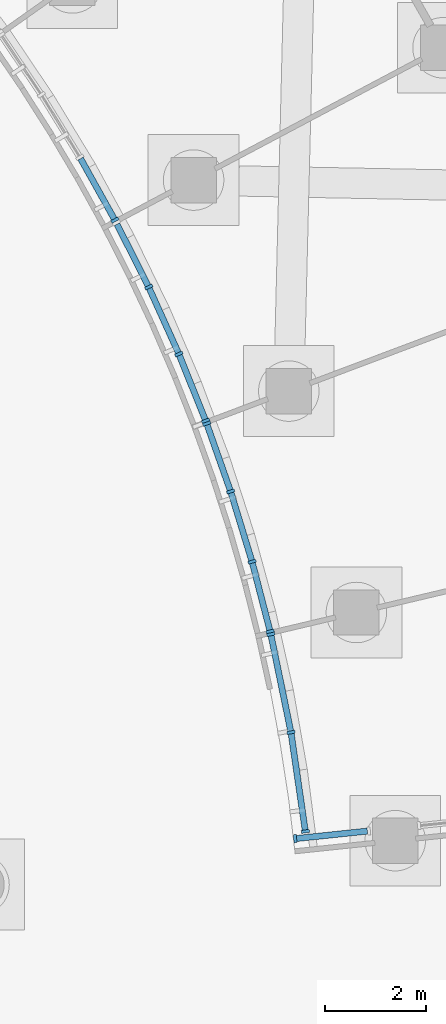
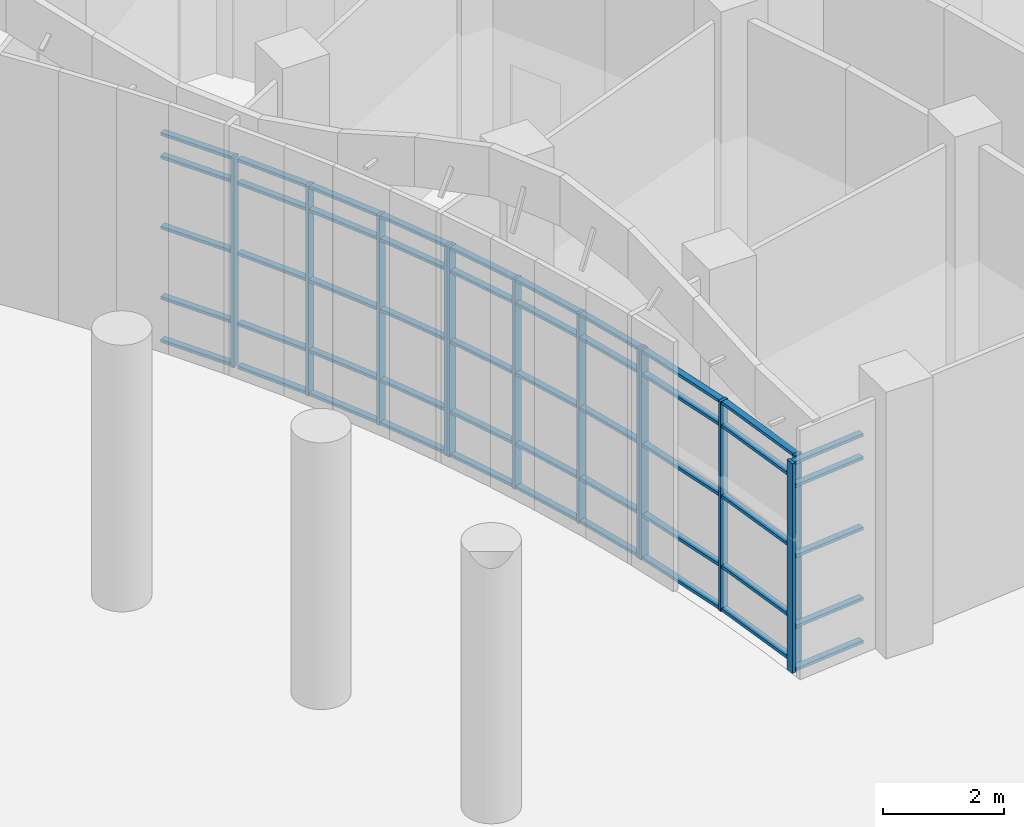
# One storey, part 30 of 146: 62 members, 5 elements without a shape of their own.
"""IFC4 building model written with IfcOpenShell, lengths in metres."""

import ifcopenshell
import ifcopenshell.guid

model = None  # the IFC model being written
_history = None  # IfcOwnerHistory: only IFC2X3 demands one
_inside = {}  # id of a spatial element -> (the spatial element, [elements in it])
_under = {}  # id of a project, library or spatial element -> (it, [spatial elements below it])
_declared = {}  # id of a project -> (the project, [libraries it declares])
_typed = {}  # id of a type object -> (the type object, [elements of that type])
_made_of = {}  # id of a material, layer set ... -> (it, [elements and type objects made of it])


def new_model(schema):
    """Start an empty IFC model of exactly this schema.

    Asked for "IFC4X3", IfcOpenShell would pick the latest addendum, in which some entities
    have other attributes; the version numbers below select the first issue.
    IFC2X3 requires an IfcOwnerHistory on every rooted entity: one is made here for all.
    """
    global model, _history
    if schema == "IFC4X3":
        model = ifcopenshell.file(schema_version=(4, 3, 0, 0))
    else:
        model = ifcopenshell.file(schema=schema)
    _inside.clear()
    _under.clear()
    _declared.clear()
    _typed.clear()
    _made_of.clear()
    _history = None
    if model.schema == "IFC2X3":
        org = make("IfcOrganization", Name="unknown")
        user = make(
            "IfcPersonAndOrganization",
            ThePerson=make("IfcPerson", FamilyName="unknown"),
            TheOrganization=org,
        )
        app = make(
            "IfcApplication",
            ApplicationDeveloper=org,
            Version="unknown",
            ApplicationFullName="unknown",
            ApplicationIdentifier="unknown",
        )
        _history = make(
            "IfcOwnerHistory",
            OwningUser=user,
            OwningApplication=app,
            ChangeAction="ADDED",
            CreationDate=0,
        )
    return model


def make(cls, **values):
    """One entity of the class cls with the attributes given. An attribute that is None is left unset."""
    return model.create_entity(
        cls, **{name: value for name, value in values.items() if value is not None}
    )


def rooted(cls, **values):
    """An entity with a GlobalId (a new one), such as an element, a storey or a relation."""
    return make(cls, GlobalId=ifcopenshell.guid.new(), OwnerHistory=_history, **values)


def si_unit(unit_type, name, prefix=None):
    """IfcSIUnit, for example si_unit("LENGTHUNIT", "METRE", prefix="MILLI")."""
    return make("IfcSIUnit", UnitType=unit_type, Prefix=prefix, Name=name)


def assignment(units):
    """IfcUnitAssignment: the units of a project."""
    return None if units is None else make("IfcUnitAssignment", Units=units)


def point(xyz):
    """IfcCartesianPoint."""
    return None if xyz is None else make("IfcCartesianPoint", Coordinates=xyz)


def direction(xyz):
    """IfcDirection."""
    return None if xyz is None else make("IfcDirection", DirectionRatios=xyz)


def frame(location, z_axis=None, x_axis=None):
    """IfcAxis2Placement3D, a coordinate frame: its origin and axes. An axis left out is left unset."""
    return make(
        "IfcAxis2Placement3D",
        Location=point(location),
        Axis=direction(z_axis),
        RefDirection=direction(x_axis),
    )


def frame_2d(location, x_axis=None):
    """IfcAxis2Placement2D, a coordinate frame in the plane: its origin and x axis."""
    return make(
        "IfcAxis2Placement2D", Location=point(location), RefDirection=direction(x_axis)
    )


def origin():
    """The frame at (0, 0, 0) with its axes left unset."""
    return frame((0.0, 0.0, 0.0))


def origin_2d():
    """The frame at (0, 0) in the plane with its x axis left unset."""
    return frame_2d((0.0, 0.0))


def place(relative_to, where):
    """IfcLocalPlacement: puts the frame where relative to a parent placement (None: the world)."""
    return make(
        "IfcLocalPlacement", PlacementRelTo=relative_to, RelativePlacement=where
    )


def context(
    kind, dimensions, precision=None, world=None, true_north=None, identifier=None
):
    """IfcGeometricRepresentationContext, for example the 3D "Model" context."""
    return make(
        "IfcGeometricRepresentationContext",
        ContextIdentifier=identifier,
        ContextType=kind,
        CoordinateSpaceDimension=dimensions,
        Precision=precision,
        WorldCoordinateSystem=world,
        TrueNorth=true_north,
    )


def subcontext(parent, identifier, kind, view, scale=None):
    """IfcGeometricRepresentationSubContext, for example "Body" below "Model"."""
    return make(
        "IfcGeometricRepresentationSubContext",
        ContextIdentifier=identifier,
        ContextType=kind,
        ParentContext=parent,
        TargetScale=scale,
        TargetView=view,
    )


def project(units=None, contexts=None):
    """IfcProject with its units and contexts."""
    return rooted(
        "IfcProject",
        Name="project",
        RepresentationContexts=contexts,
        UnitsInContext=assignment(units),
    )


def spatial(cls, under=None, at=None, **own):
    """A site, building, storey or space (cls), placed at a placement, below another one or the project."""
    s = rooted(cls, ObjectPlacement=at, **own)
    if under is not None:
        _under.setdefault(under.id(), (under, []))[1].append(s)
    return s


def profile(cls, at=None, kind="AREA", **sizes):
    """A parametric profile (cls). Its sizes go by their IFC names, for example OverallWidth=200.0."""
    return make(cls, ProfileType=kind, Position=at, **sizes)


def rectangle(**sizes):
    """IfcRectangleProfileDef."""
    return profile("IfcRectangleProfileDef", **sizes)


def extrude(swept, where, along, depth):
    """IfcExtrudedAreaSolid: the profile swept, set in the frame where, extruded along a direction by depth."""
    return make(
        "IfcExtrudedAreaSolid",
        SweptArea=swept,
        Position=where,
        ExtrudedDirection=direction(along),
        Depth=depth,
    )


def shape(context_of_items, identifier, shape_type, items):
    """IfcShapeRepresentation: the items that make up one representation, for example the "Body"."""
    return make(
        "IfcShapeRepresentation",
        ContextOfItems=context_of_items,
        RepresentationIdentifier=identifier,
        RepresentationType=shape_type,
        Items=items,
    )


def material(Name=None, Category=None):
    """IfcMaterial."""
    return make("IfcMaterial", Name=Name, Category=Category)


def material_profile(
    of_material, cross_section, Name=None, Category=None, Priority=None
):
    """IfcMaterialProfile: a cross section and its material."""
    return make(
        "IfcMaterialProfile",
        Name=Name,
        Material=of_material,
        Profile=cross_section,
        Priority=Priority,
        Category=Category,
    )


def profile_set(profiles, Name=None, composite=None):
    """IfcMaterialProfileSet."""
    return make(
        "IfcMaterialProfileSet",
        Name=Name,
        MaterialProfiles=profiles,
        CompositeProfile=composite,
    )


def made_of(thing, what):
    """Note that an element or type object is made of a material, layer set ...; save() writes the relation."""
    if what is not None:
        _made_of.setdefault(what.id(), (what, []))[1].append(thing)
    return thing


def type_object(cls, material=None, **own):
    """A type object (cls), such as IfcWallType, which elements share."""
    return made_of(rooted(cls, **own), material)


def element(
    cls,
    number,
    at=None,
    inside=None,
    cuts=None,
    type_object=None,
    material=None,
    context=None,
    identifier="Body",
    shape_type=None,
    held_by="IfcProductDefinitionShape",
    body=None,
    shapes=None,
    **own,
):
    """One element of the class cls, such as IfcWall. Its Tag is "e" and its number.

    at: its placement. inside: the storey or other place that contains it. cuts: it is an
    opening in that element (IfcRelVoidsElement). A single representation is given by context,
    identifier, shape_type and body (its items); several are given by shapes. held_by: the class
    of the entity that holds the representations. save() writes the other relations.
    """
    e = rooted(cls, Tag="e%d" % number, ObjectPlacement=at, **own)
    if body is not None:
        shapes = [shape(context, identifier, shape_type, body)]
    if shapes is not None:
        e.Representation = make(held_by, Representations=shapes)
    if inside is not None:
        _inside.setdefault(inside.id(), (inside, []))[1].append(e)
    if cuts is not None:
        rooted(
            "IfcRelVoidsElement", RelatingBuildingElement=cuts, RelatedOpeningElement=e
        )
    if type_object is not None:
        _typed.setdefault(type_object.id(), (type_object, []))[1].append(e)
    return made_of(e, material)


def aggregate(whole, parts):
    """IfcRelAggregates: a whole, such as a stair, and the parts it consists of."""
    return rooted("IfcRelAggregates", RelatingObject=whole, RelatedObjects=parts)


def save(model, path):
    """Write the relations noted so far, then the file.

    IfcRelAggregates (storeys below a building ...), IfcRelContainedInSpatialStructure (elements
    in a storey), IfcRelDefinesByType, IfcRelAssociatesMaterial and IfcRelDeclares: one each for
    every whole, place, type object, material and project.
    """
    for whole, parts in _under.values():
        aggregate(whole, parts)
    for where, things in _inside.values():
        rooted(
            "IfcRelContainedInSpatialStructure",
            RelatedElements=things,
            RelatingStructure=where,
        )
    for kind, things in _typed.values():
        rooted("IfcRelDefinesByType", RelatedObjects=things, RelatingType=kind)
    for what, things in _made_of.values():
        rooted("IfcRelAssociatesMaterial", RelatedObjects=things, RelatingMaterial=what)
    for by, libraries in _declared.values():
        rooted("IfcRelDeclares", RelatingContext=by, RelatedDefinitions=libraries)
    model.write(path)


model = new_model("IFC4")

# Units and contexts
model_context = context("Model", 3, precision=1e-05, world=origin(), true_north=direction((0.0, 1.0)))
body_context = subcontext(model_context, "Body", "Model", "MODEL_VIEW")
ifc_project = project(units=[si_unit("LENGTHUNIT", "METRE"), si_unit("AREAUNIT", "SQUARE_METRE"), si_unit("VOLUMEUNIT", "CUBIC_METRE"), si_unit("PLANEANGLEUNIT", "RADIAN"), si_unit("MASSUNIT", "GRAM", prefix="KILO")], contexts=[model_context])

# Site, building, storey
site_placement = place(None, origin())
site = spatial("IfcSite", under=ifc_project, at=site_placement, CompositionType="ELEMENT")
building_placement = place(site_placement, origin())
building = spatial("IfcBuilding", under=site, at=building_placement, Name="Bougainvillea Quay General Hospital", CompositionType="ELEMENT")
storey_placement = place(building_placement, origin())
storey = spatial("IfcBuildingStorey", under=building, at=storey_placement, Name="L00", CompositionType="ELEMENT", Elevation=0.0)

# Curtain wall, member
ifc_material_1 = material(Name="Aluminium curtain wall system, powder-coated glazed", Category="aluminium")
curtain_wall_type_1 = type_object("IfcCurtainWallType", Name="Unitised curtain wall CW-2100", PredefinedType="NOTDEFINED", material=ifc_material_1)
curtain_wall_1_placement = place(storey_placement, origin())
curtain_wall_1 = element("IfcCurtainWall", 1, at=curtain_wall_1_placement, inside=storey, type_object=curtain_wall_type_1, Name="CW-E05 a21b4", PredefinedType="NOTDEFINED")
ifc_material_2 = material(Name="Aluminium mullion, powder-coated charcoal", Category="aluminium")
ifc_material_profile_1 = material_profile(ifc_material_2, rectangle(XDim=0.159912109375, YDim=0.06005859375, at=origin_2d()))
ifc_profile_set_1 = profile_set([ifc_material_profile_1], Name="Aluminium mullion, powder-coated charcoal")
member_type_1 = type_object("IfcMemberType", Name="Curtain wall mullion 160x60", PredefinedType="MULLION", material=ifc_profile_set_1)
member_1_placement = place(storey_placement, frame((139.443115234375, 38.073974609375, 0.0), z_axis=(0.0, 0.0, 1.0), x_axis=(0.873273793396, 0.487229803858, 0.0)))
member_1 = element("IfcMember", 2, at=member_1_placement, type_object=member_type_1, Name="CW-E05 mullion 4", PredefinedType="MULLION", context=body_context, shape_type="SweptSolid", body=[
    extrude(rectangle(XDim=0.159912109375, YDim=0.06005859375, at=origin_2d()), origin(), (0.0, 0.0, 1.0), 4.25),
])

# Curtain wall, members
curtain_wall_2_placement = place(storey_placement, origin())
curtain_wall_2 = element("IfcCurtainWall", 3, at=curtain_wall_2_placement, inside=storey, type_object=curtain_wall_type_1, Name="CW-E06 a21b5", PredefinedType="NOTDEFINED")
member_2_placement = place(storey_placement, frame((140.11279296875, 36.746337890625, 0.0), z_axis=(0.0, 0.0, 1.0), x_axis=(0.902565246474, 0.430553104574, 0.0)))
member_2 = element("IfcMember", 4, at=member_2_placement, type_object=member_type_1, Name="CW-E06 mullion 2", PredefinedType="MULLION", context=body_context, shape_type="SweptSolid", body=[
    extrude(rectangle(XDim=0.159912109375, YDim=0.06005859375, at=origin_2d()), origin(), (0.0, 0.0, 1.0), 4.25),
])
member_3_placement = place(storey_placement, frame((140.7119140625, 35.41845703125, 0.0), z_axis=(0.0, 0.0, 1.0), x_axis=(0.920058711526, 0.391780509145, 0.0)))
member_3 = element("IfcMember", 5, at=member_3_placement, type_object=member_type_1, Name="CW-E06 mullion 3", PredefinedType="MULLION", context=body_context, shape_type="SweptSolid", body=[
    extrude(rectangle(XDim=0.159912109375, YDim=0.06005859375, at=origin_2d()), origin(), (0.0, 0.0, 1.0), 4.25),
])
member_4_placement = place(storey_placement, frame((141.242919921875, 34.093994140625, 0.0), z_axis=(0.0, 0.0, 1.0), x_axis=(0.92818304467, 0.372123951912, 0.0)))
member_4 = element("IfcMember", 6, at=member_4_placement, type_object=member_type_1, Name="CW-E06 mullion 4", PredefinedType="MULLION", context=body_context, shape_type="SweptSolid", body=[
    extrude(rectangle(XDim=0.159912109375, YDim=0.06005859375, at=origin_2d()), origin(), (0.0, 0.0, 1.0), 4.25),
])

curtain_wall_3_placement = place(storey_placement, origin())
curtain_wall_3 = element("IfcCurtainWall", 7, at=curtain_wall_3_placement, inside=storey, type_object=curtain_wall_type_1, Name="CW-E07 a21b6", PredefinedType="NOTDEFINED")
member_5_placement = place(storey_placement, frame((141.26416015625, 34.037841796875, 0.0), z_axis=(0.0, 0.0, 1.0), x_axis=(0.943168537252, 0.332314775986, 0.0)))
member_5 = element("IfcMember", 8, at=member_5_placement, type_object=member_type_1, Name="CW-E07 mullion 1", PredefinedType="MULLION", context=body_context, shape_type="SweptSolid", body=[
    extrude(rectangle(XDim=0.159912109375, YDim=0.06005859375, at=origin_2d()), origin(), (0.0, 0.0, 1.0), 4.25),
])
member_6_placement = place(storey_placement, frame((141.73828125, 32.692138671875, 0.0), z_axis=(0.0, 0.0, 1.0), x_axis=(0.950022917464, 0.3121801664, 0.0)))
member_6 = element("IfcMember", 9, at=member_6_placement, type_object=member_type_1, Name="CW-E07 mullion 2", PredefinedType="MULLION", context=body_context, shape_type="SweptSolid", body=[
    extrude(rectangle(XDim=0.159912109375, YDim=0.06005859375, at=origin_2d()), origin(), (0.0, 0.0, 1.0), 4.25),
])
member_7_placement = place(storey_placement, frame((142.16357421875, 31.298828125, 0.0), z_axis=(0.0, 0.0, 1.0), x_axis=(0.962439443061, 0.271496442776, 0.0)))
member_7 = element("IfcMember", 10, at=member_7_placement, type_object=member_type_1, Name="CW-E07 mullion 3", PredefinedType="MULLION", context=body_context, shape_type="SweptSolid", body=[
    extrude(rectangle(XDim=0.159912109375, YDim=0.06005859375, at=origin_2d()), origin(), (0.0, 0.0, 1.0), 4.25),
])
member_8_placement = place(storey_placement, frame((142.521484375, 29.91748046875, 0.0), z_axis=(0.0, 0.0, 1.0), x_axis=(0.967995971386, 0.250965733479, 0.0)))
member_8 = element("IfcMember", 11, at=member_8_placement, type_object=member_type_1, Name="CW-E07 mullion 4", PredefinedType="MULLION", context=body_context, shape_type="SweptSolid", body=[
    extrude(rectangle(XDim=0.159912109375, YDim=0.06005859375, at=origin_2d()), origin(), (0.0, 0.0, 1.0), 4.25),
])

curtain_wall_4_placement = place(storey_placement, origin())
curtain_wall_4 = element("IfcCurtainWall", 12, at=curtain_wall_4_placement, inside=storey, type_object=curtain_wall_type_1, Name="CW-E08 a21b7", PredefinedType="NOTDEFINED")
member_9_placement = place(storey_placement, frame((142.53515625, 29.859130859375, 0.0), z_axis=(0.0, 0.0, 1.0), x_axis=(0.979468979674, 0.201594935096, 0.0)))
member_9 = element("IfcMember", 13, at=member_9_placement, type_object=member_type_1, Name="CW-E08 mullion 1", PredefinedType="MULLION", context=body_context, shape_type="SweptSolid", body=[
    extrude(rectangle(XDim=0.159912109375, YDim=0.06005859375, at=origin_2d()), origin(), (0.0, 0.0, 1.0), 4.25),
])
member_10_placement = place(storey_placement, frame((142.935302734375, 27.914794921875, 0.0), z_axis=(0.0, 0.0, 1.0), x_axis=(0.984975544783, 0.172693879972, 0.0)))
member_10 = element("IfcMember", 14, at=member_10_placement, type_object=member_type_1, Name="CW-E08 mullion 2", PredefinedType="MULLION", context=body_context, shape_type="SweptSolid", body=[
    extrude(rectangle(XDim=0.159912109375, YDim=0.06005859375, at=origin_2d()), origin(), (0.0, 0.0, 1.0), 4.25),
])
member_11_placement = place(storey_placement, frame((143.220458984375, 25.9501953125, 0.0), z_axis=(0.0, 0.0, 1.0), x_axis=(0.989629521715, 0.143643342173, 0.0)))
member_11 = element("IfcMember", 15, at=member_11_placement, type_object=member_type_1, Name="CW-E08 mullion 3", PredefinedType="MULLION", context=body_context, shape_type="SweptSolid", body=[
    extrude(rectangle(XDim=0.159912109375, YDim=0.06005859375, at=origin_2d()), origin(), (0.0, 0.0, 1.0), 4.25),
])

# Curtain wall, member
curtain_wall_type_2 = type_object("IfcCurtainWallType", Name="Unitised curtain wall CW-1531", PredefinedType="NOTDEFINED", material=ifc_material_1)
curtain_wall_5_placement = place(storey_placement, origin())
curtain_wall_5 = element("IfcCurtainWall", 16, at=curtain_wall_5_placement, inside=storey, type_object=curtain_wall_type_2, Name="CW-AE 00", PredefinedType="NOTDEFINED")
member_12_placement = place(storey_placement, frame((143.017822265625, 25.8056640625, 0.0), z_axis=(0.0, 0.0, 1.0), x_axis=(-0.104527173765, 0.9945220309, 0.0)))
member_12 = element("IfcMember", 17, at=member_12_placement, type_object=member_type_1, Name="CW-AE mullion 1", PredefinedType="MULLION", context=body_context, shape_type="SweptSolid", body=[
    extrude(rectangle(XDim=0.159912109375, YDim=0.06005859375, at=origin_2d()), origin(), (0.0, 0.0, 1.0), 4.25),
])

# Member
ifc_material_3 = material(Name="Aluminium transom, powder-coated charcoal", Category="aluminium")
ifc_material_profile_2 = material_profile(ifc_material_3, rectangle(XDim=0.1201171875, YDim=0.06005859375, at=origin_2d()))
ifc_profile_set_2 = profile_set([ifc_material_profile_2], Name="Aluminium transom, powder-coated charcoal")
member_type_2 = type_object("IfcMemberType", Name="Curtain wall transom 120x60", PredefinedType="USERDEFINED", material=ifc_profile_set_2)
member_13_placement = place(storey_placement, frame((138.762451171875, 39.293701171875, 0.030029296875), z_axis=(0.487264805137, -0.873254264046, 0.0), x_axis=(0.873254264046, 0.487264805137, 0.0)))
member_13 = element("IfcMember", 18, at=member_13_placement, type_object=member_type_2, Name="CW-E05 transom 3.1", ObjectType="TRANSOM", PredefinedType="USERDEFINED", context=body_context, shape_type="SweptSolid", body=[
    extrude(rectangle(XDim=0.1201171875, YDim=0.06005859375, at=origin_2d()), origin(), (0.0, 0.0, 1.0), 1.366943359375),
])

member_14_placement = place(storey_placement, frame((138.762451171875, 39.293701171875, 0.89990234375), z_axis=(0.487264805137, -0.873254264046, 0.0), x_axis=(0.873254264046, 0.487264805137, 0.0)))
member_14 = element("IfcMember", 19, at=member_14_placement, type_object=member_type_2, Name="CW-E05 transom 3.2", ObjectType="TRANSOM", PredefinedType="USERDEFINED", context=body_context, shape_type="SweptSolid", body=[
    extrude(rectangle(XDim=0.1201171875, YDim=0.06005859375, at=origin_2d()), origin(), (0.0, 0.0, 1.0), 1.366943359375),
])

member_15_placement = place(storey_placement, frame((138.762451171875, 39.293701171875, 2.324951171875), z_axis=(0.487264805137, -0.873254264046, 0.0), x_axis=(0.873254264046, 0.487264805137, 0.0)))
member_15 = element("IfcMember", 20, at=member_15_placement, type_object=member_type_2, Name="CW-E05 transom 3.3", ObjectType="TRANSOM", PredefinedType="USERDEFINED", context=body_context, shape_type="SweptSolid", body=[
    extrude(rectangle(XDim=0.1201171875, YDim=0.06005859375, at=origin_2d()), origin(), (0.0, 0.0, 1.0), 1.366943359375),
])

member_16_placement = place(storey_placement, frame((138.762451171875, 39.293701171875, 3.75), z_axis=(0.487264805137, -0.873254264046, 0.0), x_axis=(0.873254264046, 0.487264805137, 0.0)))
member_16 = element("IfcMember", 21, at=member_16_placement, type_object=member_type_2, Name="CW-E05 transom 3.4", ObjectType="TRANSOM", PredefinedType="USERDEFINED", context=body_context, shape_type="SweptSolid", body=[
    extrude(rectangle(XDim=0.1201171875, YDim=0.06005859375, at=origin_2d()), origin(), (0.0, 0.0, 1.0), 1.366943359375),
])

member_17_placement = place(storey_placement, frame((138.762451171875, 39.293701171875, 4.219970703125), z_axis=(0.487264805137, -0.873254264046, 0.0), x_axis=(0.873254264046, 0.487264805137, 0.0)))
member_17 = element("IfcMember", 22, at=member_17_placement, type_object=member_type_2, Name="CW-E05 transom 3.5", ObjectType="TRANSOM", PredefinedType="USERDEFINED", context=body_context, shape_type="SweptSolid", body=[
    extrude(rectangle(XDim=0.1201171875, YDim=0.06005859375, at=origin_2d()), origin(), (0.0, 0.0, 1.0), 1.366943359375),
])

aggregate(curtain_wall_1, [member_1, member_13, member_14, member_15, member_16, member_17])

member_18_placement = place(storey_placement, frame((139.484619140625, 37.994140625, 0.030029296875), z_axis=(0.449712233761, -0.893173503193, 0.0), x_axis=(0.893173503193, 0.449712233761, 0.0)))
member_18 = element("IfcMember", 23, at=member_18_placement, type_object=member_type_2, Name="CW-E06 transom 1.1", ObjectType="TRANSOM", PredefinedType="USERDEFINED", context=body_context, shape_type="SweptSolid", body=[
    extrude(rectangle(XDim=0.1201171875, YDim=0.06005859375, at=origin_2d()), origin(), (0.0, 0.0, 1.0), 1.366943359375),
])

member_19_placement = place(storey_placement, frame((139.484619140625, 37.994140625, 0.89990234375), z_axis=(0.449712233761, -0.893173503193, 0.0), x_axis=(0.893173503193, 0.449712233761, 0.0)))
member_19 = element("IfcMember", 24, at=member_19_placement, type_object=member_type_2, Name="CW-E06 transom 1.2", ObjectType="TRANSOM", PredefinedType="USERDEFINED", context=body_context, shape_type="SweptSolid", body=[
    extrude(rectangle(XDim=0.1201171875, YDim=0.06005859375, at=origin_2d()), origin(), (0.0, 0.0, 1.0), 1.366943359375),
])

member_20_placement = place(storey_placement, frame((139.484619140625, 37.994140625, 2.324951171875), z_axis=(0.449712233761, -0.893173503193, 0.0), x_axis=(0.893173503193, 0.449712233761, 0.0)))
member_20 = element("IfcMember", 25, at=member_20_placement, type_object=member_type_2, Name="CW-E06 transom 1.3", ObjectType="TRANSOM", PredefinedType="USERDEFINED", context=body_context, shape_type="SweptSolid", body=[
    extrude(rectangle(XDim=0.1201171875, YDim=0.06005859375, at=origin_2d()), origin(), (0.0, 0.0, 1.0), 1.366943359375),
])

member_21_placement = place(storey_placement, frame((139.484619140625, 37.994140625, 3.75), z_axis=(0.449712233761, -0.893173503193, 0.0), x_axis=(0.893173503193, 0.449712233761, 0.0)))
member_21 = element("IfcMember", 26, at=member_21_placement, type_object=member_type_2, Name="CW-E06 transom 1.4", ObjectType="TRANSOM", PredefinedType="USERDEFINED", context=body_context, shape_type="SweptSolid", body=[
    extrude(rectangle(XDim=0.1201171875, YDim=0.06005859375, at=origin_2d()), origin(), (0.0, 0.0, 1.0), 1.366943359375),
])

member_22_placement = place(storey_placement, frame((139.484619140625, 37.994140625, 4.219970703125), z_axis=(0.449712233761, -0.893173503193, 0.0), x_axis=(0.893173503193, 0.449712233761, 0.0)))
member_22 = element("IfcMember", 27, at=member_22_placement, type_object=member_type_2, Name="CW-E06 transom 1.5", ObjectType="TRANSOM", PredefinedType="USERDEFINED", context=body_context, shape_type="SweptSolid", body=[
    extrude(rectangle(XDim=0.1201171875, YDim=0.06005859375, at=origin_2d()), origin(), (0.0, 0.0, 1.0), 1.366943359375),
])

member_23_placement = place(storey_placement, frame((140.125244140625, 36.718994140625, 0.030029296875), z_axis=(0.411272928094, -0.911512248199, 0.0), x_axis=(0.911512248199, 0.411272928094, 0.0)))
member_23 = element("IfcMember", 28, at=member_23_placement, type_object=member_type_2, Name="CW-E06 transom 2.1", ObjectType="TRANSOM", PredefinedType="USERDEFINED", context=body_context, shape_type="SweptSolid", body=[
    extrude(rectangle(XDim=0.1201171875, YDim=0.06005859375, at=origin_2d()), origin(), (0.0, 0.0, 1.0), 1.396728515625),
])

member_24_placement = place(storey_placement, frame((140.125244140625, 36.718994140625, 0.89990234375), z_axis=(0.411272928094, -0.911512248199, 0.0), x_axis=(0.911512248199, 0.411272928094, 0.0)))
member_24 = element("IfcMember", 29, at=member_24_placement, type_object=member_type_2, Name="CW-E06 transom 2.2", ObjectType="TRANSOM", PredefinedType="USERDEFINED", context=body_context, shape_type="SweptSolid", body=[
    extrude(rectangle(XDim=0.1201171875, YDim=0.06005859375, at=origin_2d()), origin(), (0.0, 0.0, 1.0), 1.396728515625),
])

member_25_placement = place(storey_placement, frame((140.125244140625, 36.718994140625, 2.324951171875), z_axis=(0.411272928094, -0.911512248199, 0.0), x_axis=(0.911512248199, 0.411272928094, 0.0)))
member_25 = element("IfcMember", 30, at=member_25_placement, type_object=member_type_2, Name="CW-E06 transom 2.3", ObjectType="TRANSOM", PredefinedType="USERDEFINED", context=body_context, shape_type="SweptSolid", body=[
    extrude(rectangle(XDim=0.1201171875, YDim=0.06005859375, at=origin_2d()), origin(), (0.0, 0.0, 1.0), 1.396728515625),
])

member_26_placement = place(storey_placement, frame((140.125244140625, 36.718994140625, 3.75), z_axis=(0.411272928094, -0.911512248199, 0.0), x_axis=(0.911512248199, 0.411272928094, 0.0)))
member_26 = element("IfcMember", 31, at=member_26_placement, type_object=member_type_2, Name="CW-E06 transom 2.4", ObjectType="TRANSOM", PredefinedType="USERDEFINED", context=body_context, shape_type="SweptSolid", body=[
    extrude(rectangle(XDim=0.1201171875, YDim=0.06005859375, at=origin_2d()), origin(), (0.0, 0.0, 1.0), 1.396728515625),
])

member_27_placement = place(storey_placement, frame((140.125244140625, 36.718994140625, 4.219970703125), z_axis=(0.411272928094, -0.911512248199, 0.0), x_axis=(0.911512248199, 0.411272928094, 0.0)))
member_27 = element("IfcMember", 32, at=member_27_placement, type_object=member_type_2, Name="CW-E06 transom 2.5", ObjectType="TRANSOM", PredefinedType="USERDEFINED", context=body_context, shape_type="SweptSolid", body=[
    extrude(rectangle(XDim=0.1201171875, YDim=0.06005859375, at=origin_2d()), origin(), (0.0, 0.0, 1.0), 1.396728515625),
])

member_28_placement = place(storey_placement, frame((140.72314453125, 35.390625, 0.030029296875), z_axis=(0.37203726485, -0.92821779425, 0.0), x_axis=(0.92821779425, 0.37203726485, 0.0)))
member_28 = element("IfcMember", 33, at=member_28_placement, type_object=member_type_2, Name="CW-E06 transom 3.1", ObjectType="TRANSOM", PredefinedType="USERDEFINED", context=body_context, shape_type="SweptSolid", body=[
    extrude(rectangle(XDim=0.1201171875, YDim=0.06005859375, at=origin_2d()), origin(), (0.0, 0.0, 1.0), 1.366943359375),
])

member_29_placement = place(storey_placement, frame((140.72314453125, 35.390625, 0.89990234375), z_axis=(0.37203726485, -0.92821779425, 0.0), x_axis=(0.92821779425, 0.37203726485, 0.0)))
member_29 = element("IfcMember", 34, at=member_29_placement, type_object=member_type_2, Name="CW-E06 transom 3.2", ObjectType="TRANSOM", PredefinedType="USERDEFINED", context=body_context, shape_type="SweptSolid", body=[
    extrude(rectangle(XDim=0.1201171875, YDim=0.06005859375, at=origin_2d()), origin(), (0.0, 0.0, 1.0), 1.366943359375),
])

member_30_placement = place(storey_placement, frame((140.72314453125, 35.390625, 2.324951171875), z_axis=(0.37203726485, -0.92821779425, 0.0), x_axis=(0.92821779425, 0.37203726485, 0.0)))
member_30 = element("IfcMember", 35, at=member_30_placement, type_object=member_type_2, Name="CW-E06 transom 3.3", ObjectType="TRANSOM", PredefinedType="USERDEFINED", context=body_context, shape_type="SweptSolid", body=[
    extrude(rectangle(XDim=0.1201171875, YDim=0.06005859375, at=origin_2d()), origin(), (0.0, 0.0, 1.0), 1.366943359375),
])

member_31_placement = place(storey_placement, frame((140.72314453125, 35.390625, 3.75), z_axis=(0.37203726485, -0.92821779425, 0.0), x_axis=(0.92821779425, 0.37203726485, 0.0)))
member_31 = element("IfcMember", 36, at=member_31_placement, type_object=member_type_2, Name="CW-E06 transom 3.4", ObjectType="TRANSOM", PredefinedType="USERDEFINED", context=body_context, shape_type="SweptSolid", body=[
    extrude(rectangle(XDim=0.1201171875, YDim=0.06005859375, at=origin_2d()), origin(), (0.0, 0.0, 1.0), 1.366943359375),
])

member_32_placement = place(storey_placement, frame((140.72314453125, 35.390625, 4.219970703125), z_axis=(0.37203726485, -0.92821779425, 0.0), x_axis=(0.92821779425, 0.37203726485, 0.0)))
member_32 = element("IfcMember", 37, at=member_32_placement, type_object=member_type_2, Name="CW-E06 transom 3.5", ObjectType="TRANSOM", PredefinedType="USERDEFINED", context=body_context, shape_type="SweptSolid", body=[
    extrude(rectangle(XDim=0.1201171875, YDim=0.06005859375, at=origin_2d()), origin(), (0.0, 0.0, 1.0), 1.366943359375),
])

aggregate(curtain_wall_2, [member_2, member_3, member_4, member_18, member_19, member_20, member_21, member_22, member_23, member_24, member_25, member_26, member_27, member_28, member_29, member_30, member_31, member_32])

member_33_placement = place(storey_placement, frame((141.27392578125, 34.009521484375, 0.030029296875), z_axis=(0.332418322069, -0.943132047569, 0.0), x_axis=(0.943132047569, 0.332418322069, 0.0)))
member_33 = element("IfcMember", 38, at=member_33_placement, type_object=member_type_2, Name="CW-E07 transom 1.1", ObjectType="TRANSOM", PredefinedType="USERDEFINED", context=body_context, shape_type="SweptSolid", body=[
    extrude(rectangle(XDim=0.1201171875, YDim=0.06005859375, at=origin_2d()), origin(), (0.0, 0.0, 1.0), 1.36669921875),
])

member_34_placement = place(storey_placement, frame((141.27392578125, 34.009521484375, 0.89990234375), z_axis=(0.332418322069, -0.943132047569, 0.0), x_axis=(0.943132047569, 0.332418322069, 0.0)))
member_34 = element("IfcMember", 39, at=member_34_placement, type_object=member_type_2, Name="CW-E07 transom 1.2", ObjectType="TRANSOM", PredefinedType="USERDEFINED", context=body_context, shape_type="SweptSolid", body=[
    extrude(rectangle(XDim=0.1201171875, YDim=0.06005859375, at=origin_2d()), origin(), (0.0, 0.0, 1.0), 1.36669921875),
])

member_35_placement = place(storey_placement, frame((141.27392578125, 34.009521484375, 2.324951171875), z_axis=(0.332418322069, -0.943132047569, 0.0), x_axis=(0.943132047569, 0.332418322069, 0.0)))
member_35 = element("IfcMember", 40, at=member_35_placement, type_object=member_type_2, Name="CW-E07 transom 1.3", ObjectType="TRANSOM", PredefinedType="USERDEFINED", context=body_context, shape_type="SweptSolid", body=[
    extrude(rectangle(XDim=0.1201171875, YDim=0.06005859375, at=origin_2d()), origin(), (0.0, 0.0, 1.0), 1.36669921875),
])

member_36_placement = place(storey_placement, frame((141.27392578125, 34.009521484375, 3.75), z_axis=(0.332418322069, -0.943132047569, 0.0), x_axis=(0.943132047569, 0.332418322069, 0.0)))
member_36 = element("IfcMember", 41, at=member_36_placement, type_object=member_type_2, Name="CW-E07 transom 1.4", ObjectType="TRANSOM", PredefinedType="USERDEFINED", context=body_context, shape_type="SweptSolid", body=[
    extrude(rectangle(XDim=0.1201171875, YDim=0.06005859375, at=origin_2d()), origin(), (0.0, 0.0, 1.0), 1.36669921875),
])

member_37_placement = place(storey_placement, frame((141.27392578125, 34.009521484375, 4.219970703125), z_axis=(0.332418322069, -0.943132047569, 0.0), x_axis=(0.943132047569, 0.332418322069, 0.0)))
member_37 = element("IfcMember", 42, at=member_37_placement, type_object=member_type_2, Name="CW-E07 transom 1.5", ObjectType="TRANSOM", PredefinedType="USERDEFINED", context=body_context, shape_type="SweptSolid", body=[
    extrude(rectangle(XDim=0.1201171875, YDim=0.06005859375, at=origin_2d()), origin(), (0.0, 0.0, 1.0), 1.36669921875),
])

member_38_placement = place(storey_placement, frame((141.7470703125, 32.66357421875, 0.030029296875), z_axis=(0.291849999923, -0.956464101545, 0.0), x_axis=(0.956464101545, 0.291849999923, 0.0)))
member_38 = element("IfcMember", 43, at=member_38_placement, type_object=member_type_2, Name="CW-E07 transom 2.1", ObjectType="TRANSOM", PredefinedType="USERDEFINED", context=body_context, shape_type="SweptSolid", body=[
    extrude(rectangle(XDim=0.1201171875, YDim=0.06005859375, at=origin_2d()), origin(), (0.0, 0.0, 1.0), 1.39697265625),
])

member_39_placement = place(storey_placement, frame((141.7470703125, 32.66357421875, 0.89990234375), z_axis=(0.291849999923, -0.956464101545, 0.0), x_axis=(0.956464101545, 0.291849999923, 0.0)))
member_39 = element("IfcMember", 44, at=member_39_placement, type_object=member_type_2, Name="CW-E07 transom 2.2", ObjectType="TRANSOM", PredefinedType="USERDEFINED", context=body_context, shape_type="SweptSolid", body=[
    extrude(rectangle(XDim=0.1201171875, YDim=0.06005859375, at=origin_2d()), origin(), (0.0, 0.0, 1.0), 1.39697265625),
])

member_40_placement = place(storey_placement, frame((141.7470703125, 32.66357421875, 2.324951171875), z_axis=(0.291849999923, -0.956464101545, 0.0), x_axis=(0.956464101545, 0.291849999923, 0.0)))
member_40 = element("IfcMember", 45, at=member_40_placement, type_object=member_type_2, Name="CW-E07 transom 2.3", ObjectType="TRANSOM", PredefinedType="USERDEFINED", context=body_context, shape_type="SweptSolid", body=[
    extrude(rectangle(XDim=0.1201171875, YDim=0.06005859375, at=origin_2d()), origin(), (0.0, 0.0, 1.0), 1.39697265625),
])

member_41_placement = place(storey_placement, frame((141.7470703125, 32.66357421875, 3.75), z_axis=(0.291849999923, -0.956464101545, 0.0), x_axis=(0.956464101545, 0.291849999923, 0.0)))
member_41 = element("IfcMember", 46, at=member_41_placement, type_object=member_type_2, Name="CW-E07 transom 2.4", ObjectType="TRANSOM", PredefinedType="USERDEFINED", context=body_context, shape_type="SweptSolid", body=[
    extrude(rectangle(XDim=0.1201171875, YDim=0.06005859375, at=origin_2d()), origin(), (0.0, 0.0, 1.0), 1.39697265625),
])

member_42_placement = place(storey_placement, frame((141.7470703125, 32.66357421875, 4.219970703125), z_axis=(0.291849999923, -0.956464101545, 0.0), x_axis=(0.956464101545, 0.291849999923, 0.0)))
member_42 = element("IfcMember", 47, at=member_42_placement, type_object=member_type_2, Name="CW-E07 transom 2.5", ObjectType="TRANSOM", PredefinedType="USERDEFINED", context=body_context, shape_type="SweptSolid", body=[
    extrude(rectangle(XDim=0.1201171875, YDim=0.06005859375, at=origin_2d()), origin(), (0.0, 0.0, 1.0), 1.39697265625),
])

member_43_placement = place(storey_placement, frame((142.1708984375, 31.269775390625, 0.030029296875), z_axis=(0.251098509597, -0.967961537706, 0.0), x_axis=(0.967961537706, 0.251098509597, 0.0)))
member_43 = element("IfcMember", 48, at=member_43_placement, type_object=member_type_2, Name="CW-E07 transom 3.1", ObjectType="TRANSOM", PredefinedType="USERDEFINED", context=body_context, shape_type="SweptSolid", body=[
    extrude(rectangle(XDim=0.1201171875, YDim=0.06005859375, at=origin_2d()), origin(), (0.0, 0.0, 1.0), 1.366943359375),
])

member_44_placement = place(storey_placement, frame((142.1708984375, 31.269775390625, 0.89990234375), z_axis=(0.251098509597, -0.967961537706, 0.0), x_axis=(0.967961537706, 0.251098509597, 0.0)))
member_44 = element("IfcMember", 49, at=member_44_placement, type_object=member_type_2, Name="CW-E07 transom 3.2", ObjectType="TRANSOM", PredefinedType="USERDEFINED", context=body_context, shape_type="SweptSolid", body=[
    extrude(rectangle(XDim=0.1201171875, YDim=0.06005859375, at=origin_2d()), origin(), (0.0, 0.0, 1.0), 1.366943359375),
])

member_45_placement = place(storey_placement, frame((142.1708984375, 31.269775390625, 2.324951171875), z_axis=(0.251098509597, -0.967961537706, 0.0), x_axis=(0.967961537706, 0.251098509597, 0.0)))
member_45 = element("IfcMember", 50, at=member_45_placement, type_object=member_type_2, Name="CW-E07 transom 3.3", ObjectType="TRANSOM", PredefinedType="USERDEFINED", context=body_context, shape_type="SweptSolid", body=[
    extrude(rectangle(XDim=0.1201171875, YDim=0.06005859375, at=origin_2d()), origin(), (0.0, 0.0, 1.0), 1.366943359375),
])

member_46_placement = place(storey_placement, frame((142.1708984375, 31.269775390625, 3.75), z_axis=(0.251098509597, -0.967961537706, 0.0), x_axis=(0.967961537706, 0.251098509597, 0.0)))
member_46 = element("IfcMember", 51, at=member_46_placement, type_object=member_type_2, Name="CW-E07 transom 3.4", ObjectType="TRANSOM", PredefinedType="USERDEFINED", context=body_context, shape_type="SweptSolid", body=[
    extrude(rectangle(XDim=0.1201171875, YDim=0.06005859375, at=origin_2d()), origin(), (0.0, 0.0, 1.0), 1.366943359375),
])

member_47_placement = place(storey_placement, frame((142.1708984375, 31.269775390625, 4.219970703125), z_axis=(0.251098509597, -0.967961537706, 0.0), x_axis=(0.967961537706, 0.251098509597, 0.0)))
member_47 = element("IfcMember", 52, at=member_47_placement, type_object=member_type_2, Name="CW-E07 transom 3.5", ObjectType="TRANSOM", PredefinedType="USERDEFINED", context=body_context, shape_type="SweptSolid", body=[
    extrude(rectangle(XDim=0.1201171875, YDim=0.06005859375, at=origin_2d()), origin(), (0.0, 0.0, 1.0), 1.366943359375),
])

aggregate(curtain_wall_3, [member_5, member_6, member_7, member_8, member_33, member_34, member_35, member_36, member_37, member_38, member_39, member_40, member_41, member_42, member_43, member_44, member_45, member_46, member_47])

member_48_placement = place(storey_placement, frame((142.541259765625, 29.829833984375, 0.030029296875), z_axis=(0.201502639399, -0.979487971501, 0.0), x_axis=(0.979487971501, 0.201502639399, 0.0)))
member_48 = element("IfcMember", 53, at=member_48_placement, type_object=member_type_2, Name="CW-E08 transom 1.1", ObjectType="TRANSOM", PredefinedType="USERDEFINED", context=body_context, shape_type="SweptSolid", body=[
    extrude(rectangle(XDim=0.1201171875, YDim=0.06005859375, at=origin_2d()), origin(), (0.0, 0.0, 1.0), 1.92529296875),
])

member_49_placement = place(storey_placement, frame((142.541259765625, 29.829833984375, 0.89990234375), z_axis=(0.201502639399, -0.979487971501, 0.0), x_axis=(0.979487971501, 0.201502639399, 0.0)))
member_49 = element("IfcMember", 54, at=member_49_placement, type_object=member_type_2, Name="CW-E08 transom 1.2", ObjectType="TRANSOM", PredefinedType="USERDEFINED", context=body_context, shape_type="SweptSolid", body=[
    extrude(rectangle(XDim=0.1201171875, YDim=0.06005859375, at=origin_2d()), origin(), (0.0, 0.0, 1.0), 1.92529296875),
])

member_50_placement = place(storey_placement, frame((142.541259765625, 29.829833984375, 2.324951171875), z_axis=(0.201502639399, -0.979487971501, 0.0), x_axis=(0.979487971501, 0.201502639399, 0.0)))
member_50 = element("IfcMember", 55, at=member_50_placement, type_object=member_type_2, Name="CW-E08 transom 1.3", ObjectType="TRANSOM", PredefinedType="USERDEFINED", context=body_context, shape_type="SweptSolid", body=[
    extrude(rectangle(XDim=0.1201171875, YDim=0.06005859375, at=origin_2d()), origin(), (0.0, 0.0, 1.0), 1.92529296875),
])

member_51_placement = place(storey_placement, frame((142.541259765625, 29.829833984375, 3.75), z_axis=(0.201502639399, -0.979487971501, 0.0), x_axis=(0.979487971501, 0.201502639399, 0.0)))
member_51 = element("IfcMember", 56, at=member_51_placement, type_object=member_type_2, Name="CW-E08 transom 1.4", ObjectType="TRANSOM", PredefinedType="USERDEFINED", context=body_context, shape_type="SweptSolid", body=[
    extrude(rectangle(XDim=0.1201171875, YDim=0.06005859375, at=origin_2d()), origin(), (0.0, 0.0, 1.0), 1.92529296875),
])

member_52_placement = place(storey_placement, frame((142.541259765625, 29.829833984375, 4.219970703125), z_axis=(0.201502639399, -0.979487971501, 0.0), x_axis=(0.979487971501, 0.201502639399, 0.0)))
member_52 = element("IfcMember", 57, at=member_52_placement, type_object=member_type_2, Name="CW-E08 transom 1.5", ObjectType="TRANSOM", PredefinedType="USERDEFINED", context=body_context, shape_type="SweptSolid", body=[
    extrude(rectangle(XDim=0.1201171875, YDim=0.06005859375, at=origin_2d()), origin(), (0.0, 0.0, 1.0), 1.92529296875),
])

member_53_placement = place(storey_placement, frame((142.939697265625, 27.885009765625, 0.030029296875), z_axis=(0.143569492441, -0.989640238087, 0.0), x_axis=(0.989640238087, 0.143569492441, 0.0)))
member_53 = element("IfcMember", 58, at=member_53_placement, type_object=member_type_2, Name="CW-E08 transom 2.1", ObjectType="TRANSOM", PredefinedType="USERDEFINED", context=body_context, shape_type="SweptSolid", body=[
    extrude(rectangle(XDim=0.1201171875, YDim=0.06005859375, at=origin_2d()), origin(), (0.0, 0.0, 1.0), 1.925048828125),
])

member_54_placement = place(storey_placement, frame((142.939697265625, 27.885009765625, 0.89990234375), z_axis=(0.143569492441, -0.989640238087, 0.0), x_axis=(0.989640238087, 0.143569492441, 0.0)))
member_54 = element("IfcMember", 59, at=member_54_placement, type_object=member_type_2, Name="CW-E08 transom 2.2", ObjectType="TRANSOM", PredefinedType="USERDEFINED", context=body_context, shape_type="SweptSolid", body=[
    extrude(rectangle(XDim=0.1201171875, YDim=0.06005859375, at=origin_2d()), origin(), (0.0, 0.0, 1.0), 1.925048828125),
])

member_55_placement = place(storey_placement, frame((142.939697265625, 27.885009765625, 2.324951171875), z_axis=(0.143569492441, -0.989640238087, 0.0), x_axis=(0.989640238087, 0.143569492441, 0.0)))
member_55 = element("IfcMember", 60, at=member_55_placement, type_object=member_type_2, Name="CW-E08 transom 2.3", ObjectType="TRANSOM", PredefinedType="USERDEFINED", context=body_context, shape_type="SweptSolid", body=[
    extrude(rectangle(XDim=0.1201171875, YDim=0.06005859375, at=origin_2d()), origin(), (0.0, 0.0, 1.0), 1.925048828125),
])

member_56_placement = place(storey_placement, frame((142.939697265625, 27.885009765625, 3.75), z_axis=(0.143569492441, -0.989640238087, 0.0), x_axis=(0.989640238087, 0.143569492441, 0.0)))
member_56 = element("IfcMember", 61, at=member_56_placement, type_object=member_type_2, Name="CW-E08 transom 2.4", ObjectType="TRANSOM", PredefinedType="USERDEFINED", context=body_context, shape_type="SweptSolid", body=[
    extrude(rectangle(XDim=0.1201171875, YDim=0.06005859375, at=origin_2d()), origin(), (0.0, 0.0, 1.0), 1.925048828125),
])

member_57_placement = place(storey_placement, frame((142.939697265625, 27.885009765625, 4.219970703125), z_axis=(0.143569492441, -0.989640238087, 0.0), x_axis=(0.989640238087, 0.143569492441, 0.0)))
member_57 = element("IfcMember", 62, at=member_57_placement, type_object=member_type_2, Name="CW-E08 transom 2.5", ObjectType="TRANSOM", PredefinedType="USERDEFINED", context=body_context, shape_type="SweptSolid", body=[
    extrude(rectangle(XDim=0.1201171875, YDim=0.06005859375, at=origin_2d()), origin(), (0.0, 0.0, 1.0), 1.925048828125),
])

aggregate(curtain_wall_4, [member_9, member_10, member_11, member_48, member_49, member_50, member_51, member_52, member_53, member_54, member_55, member_56, member_57])

member_58_placement = place(storey_placement, frame((143.047607421875, 25.808837890625, 0.030029296875), z_axis=(0.994518724615, 0.104558626574, 0.0), x_axis=(-0.104558626574, 0.994518724615, 0.0)))
member_58 = element("IfcMember", 63, at=member_58_placement, type_object=member_type_2, Name="CW-AE transom 1.1", ObjectType="TRANSOM", PredefinedType="USERDEFINED", context=body_context, shape_type="SweptSolid", body=[
    extrude(rectangle(XDim=0.1201171875, YDim=0.06005859375, at=origin_2d()), origin(), (0.0, 0.0, 1.0), 1.410400390625),
])

member_59_placement = place(storey_placement, frame((143.047607421875, 25.808837890625, 0.89990234375), z_axis=(0.994518724615, 0.104558626574, 0.0), x_axis=(-0.104558626574, 0.994518724615, 0.0)))
member_59 = element("IfcMember", 64, at=member_59_placement, type_object=member_type_2, Name="CW-AE transom 1.2", ObjectType="TRANSOM", PredefinedType="USERDEFINED", context=body_context, shape_type="SweptSolid", body=[
    extrude(rectangle(XDim=0.1201171875, YDim=0.06005859375, at=origin_2d()), origin(), (0.0, 0.0, 1.0), 1.410400390625),
])

member_60_placement = place(storey_placement, frame((143.047607421875, 25.808837890625, 2.324951171875), z_axis=(0.994518724615, 0.104558626574, 0.0), x_axis=(-0.104558626574, 0.994518724615, 0.0)))
member_60 = element("IfcMember", 65, at=member_60_placement, type_object=member_type_2, Name="CW-AE transom 1.3", ObjectType="TRANSOM", PredefinedType="USERDEFINED", context=body_context, shape_type="SweptSolid", body=[
    extrude(rectangle(XDim=0.1201171875, YDim=0.06005859375, at=origin_2d()), origin(), (0.0, 0.0, 1.0), 1.410400390625),
])

member_61_placement = place(storey_placement, frame((143.047607421875, 25.808837890625, 3.75), z_axis=(0.994518724615, 0.104558626574, 0.0), x_axis=(-0.104558626574, 0.994518724615, 0.0)))
member_61 = element("IfcMember", 66, at=member_61_placement, type_object=member_type_2, Name="CW-AE transom 1.4", ObjectType="TRANSOM", PredefinedType="USERDEFINED", context=body_context, shape_type="SweptSolid", body=[
    extrude(rectangle(XDim=0.1201171875, YDim=0.06005859375, at=origin_2d()), origin(), (0.0, 0.0, 1.0), 1.410400390625),
])

member_62_placement = place(storey_placement, frame((143.047607421875, 25.808837890625, 4.219970703125), z_axis=(0.994518724615, 0.104558626574, 0.0), x_axis=(-0.104558626574, 0.994518724615, 0.0)))
member_62 = element("IfcMember", 67, at=member_62_placement, type_object=member_type_2, Name="CW-AE transom 1.5", ObjectType="TRANSOM", PredefinedType="USERDEFINED", context=body_context, shape_type="SweptSolid", body=[
    extrude(rectangle(XDim=0.1201171875, YDim=0.06005859375, at=origin_2d()), origin(), (0.0, 0.0, 1.0), 1.410400390625),
])

aggregate(curtain_wall_5, [member_12, member_58, member_59, member_60, member_61, member_62])

save(model, "model.ifc")
